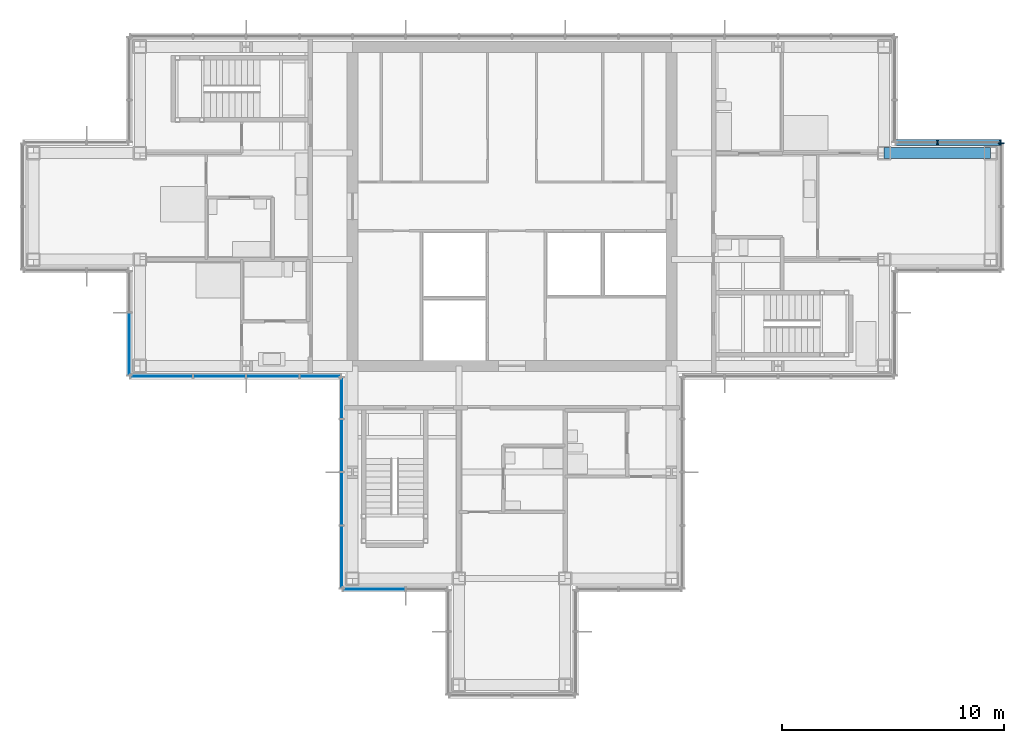
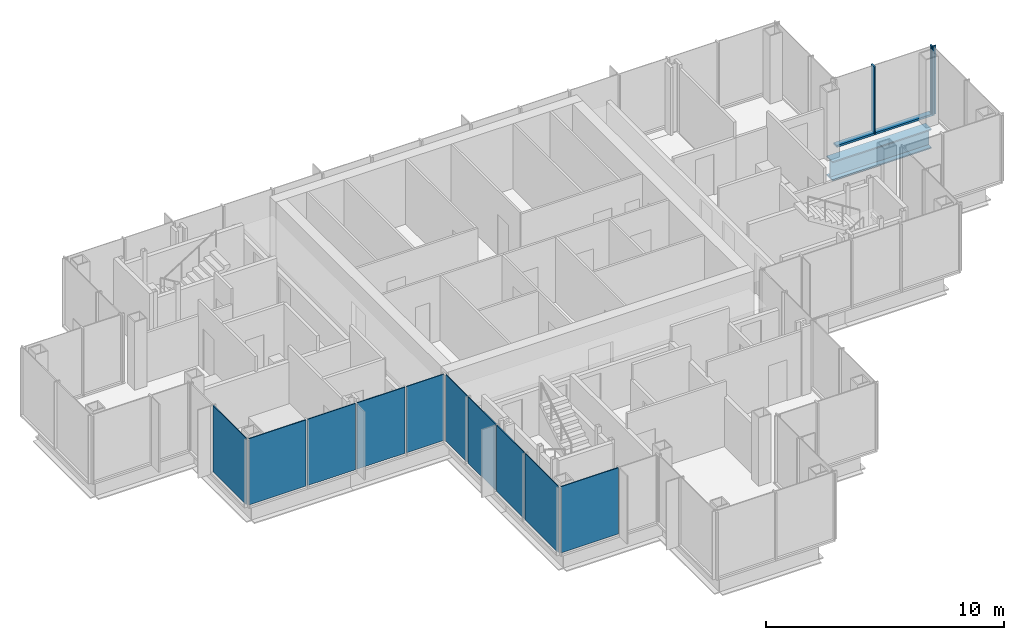
# One storey, part 8 of 15: 10 plates, 5 members, 1 beam, 6 elements without a shape of their own.
"""IFC4 building model written with IfcOpenShell, lengths in metres."""

from ifc_helpers import new_model, si_unit, direction, frame, origin, origin_2d, place, context, subcontext, project, spatial, rectangle, i_section, extrude, material, layer, layer_set, material_profile, profile_set, type_object, element, aggregate, save


model = new_model("IFC4")

# Units and contexts
model_context = context("Model", 3, precision=1e-05, world=origin(), true_north=direction((0.0, 1.0)))
body_context = subcontext(model_context, "Body", "Model", "MODEL_VIEW")
ifc_project = project(units=[si_unit("LENGTHUNIT", "METRE"), si_unit("AREAUNIT", "SQUARE_METRE"), si_unit("VOLUMEUNIT", "CUBIC_METRE"), si_unit("PLANEANGLEUNIT", "RADIAN"), si_unit("MASSUNIT", "GRAM", prefix="KILO")], contexts=[model_context])

# Site, building, storey
site_placement = place(None, origin())
site = spatial("IfcSite", under=ifc_project, at=site_placement, CompositionType="ELEMENT")
building_placement = place(site_placement, origin())
building = spatial("IfcBuilding", under=site, at=building_placement, Name="Kvirike Care Tower", CompositionType="ELEMENT")
storey_placement = place(building_placement, frame((0.0, 0.0, 205.0)))
storey = spatial("IfcBuildingStorey", under=building, at=storey_placement, Name="L56", CompositionType="ELEMENT", Elevation=205.0)

# Curtain wall, member
ifc_material_1 = material(Name="Anodised aluminium stick system", Category="aluminium")
curtain_wall_type = type_object("IfcCurtainWallType", Name="CW-D STICK CURTAIN WALL", PredefinedType="NOTDEFINED", material=ifc_material_1)
curtain_wall_1_placement = place(storey_placement, origin())
curtain_wall_1 = element("IfcCurtainWall", 1, at=curtain_wall_1_placement, inside=storey, type_object=curtain_wall_type, Name="Curtain wall L56 face 4", PredefinedType="NOTDEFINED")
ifc_material_2 = material(Name="Bronze anodised aluminium mullion", Category="aluminium")
ifc_material_profile_1 = material_profile(ifc_material_2, rectangle(XDim=0.06494140625, YDim=0.260009765625, at=origin_2d()), Name="CW-D MULLION 65x260")
ifc_profile_set_1 = profile_set([ifc_material_profile_1], Name="Bronze anodised aluminium mullion")
member_type_1 = type_object("IfcMemberType", Name="CW-D MULLION 65x260", PredefinedType="MULLION", material=ifc_profile_set_1)
member_1_placement = place(storey_placement, frame((43.679931640625, 38.847412109375, 0.0), z_axis=(0.0, 0.0, 1.0), x_axis=(0.0, 1.0, 0.0)))
member_1 = element("IfcMember", 2, at=member_1_placement, type_object=member_type_1, Name="CW-D mullion L56 face 4.3", PredefinedType="MULLION", context=body_context, shape_type="SweptSolid", body=[
    extrude(rectangle(XDim=0.06494140625, YDim=0.260009765625, at=origin_2d()), origin(), (0.0, 0.0, 1.0), 3.5),
])
aggregate(curtain_wall_1, [member_1])

# Curtain wall, members
curtain_wall_2_placement = place(storey_placement, origin())
curtain_wall_2 = element("IfcCurtainWall", 3, at=curtain_wall_2_placement, inside=storey, type_object=curtain_wall_type, Name="Curtain wall L56 face 5", PredefinedType="NOTDEFINED")
member_2_placement = place(storey_placement, frame((43.6474609375, 38.8798828125, 0.0), z_axis=(0.0, 0.0, 1.0), x_axis=(-1.0, 0.0, 0.0)))
member_2 = element("IfcMember", 4, at=member_2_placement, type_object=member_type_1, Name="CW-D mullion L56 face 5.1", PredefinedType="MULLION", context=body_context, shape_type="SweptSolid", body=[
    extrude(rectangle(XDim=0.06494140625, YDim=0.260009765625, at=origin_2d()), origin(), (0.0, 0.0, 1.0), 3.5),
])
member_3_placement = place(storey_placement, frame((40.800048828125, 38.8798828125, 0.0), z_axis=(0.0, 0.0, 1.0), x_axis=(-1.0, 0.0, 0.0)))
member_3 = element("IfcMember", 5, at=member_3_placement, type_object=member_type_1, Name="CW-D mullion L56 face 5.2", PredefinedType="MULLION", context=body_context, shape_type="SweptSolid", body=[
    extrude(rectangle(XDim=0.06494140625, YDim=0.260009765625, at=origin_2d()), origin(), (0.0, 0.0, 1.0), 3.5),
])
ifc_material_3 = material(Name="Bronze anodised aluminium transom", Category="aluminium")
ifc_material_profile_2 = material_profile(ifc_material_3, rectangle(XDim=0.260009765625, YDim=0.10009765625, at=origin_2d()), Name="CW-D TRANSOM 260x100")
ifc_profile_set_2 = profile_set([ifc_material_profile_2], Name="Bronze anodised aluminium transom")
member_type_2 = type_object("IfcMemberType", Name="CW-D TRANSOM 260x100", PredefinedType="USERDEFINED", material=ifc_profile_set_2)
member_4_placement = place(storey_placement, frame((43.614990234375, 38.8798828125, 0.050048828125), z_axis=(-1.0, 0.0, 0.0), x_axis=(0.0, -1.0, 0.0)))
member_4 = element("IfcMember", 6, at=member_4_placement, type_object=member_type_2, Name="CW-D sill transom L56 face 5.1", ObjectType="TRANSOM", PredefinedType="USERDEFINED", context=body_context, shape_type="SweptSolid", body=[
    extrude(rectangle(XDim=0.260009765625, YDim=0.10009765625, at=origin_2d()), origin(), (0.0, 0.0, 1.0), 2.782470703125),
])
member_5_placement = place(storey_placement, frame((40.767578125, 38.8798828125, 0.050048828125), z_axis=(-1.0, 0.0, 0.0), x_axis=(0.0, -1.0, 0.0)))
member_5 = element("IfcMember", 7, at=member_5_placement, type_object=member_type_2, Name="CW-D sill transom L56 face 5.2", ObjectType="TRANSOM", PredefinedType="USERDEFINED", context=body_context, shape_type="SweptSolid", body=[
    extrude(rectangle(XDim=0.260009765625, YDim=0.10009765625, at=origin_2d()), origin(), (0.0, 0.0, 1.0), 1.822509765625),
])
aggregate(curtain_wall_2, [member_2, member_3, member_4, member_5])

# Beam
ifc_material_4 = material(Name="Steel S355", Category="steel")
ifc_material_profile_3 = material_profile(ifc_material_4, i_section(OverallWidth=0.5, OverallDepth=1.0, WebThickness=0.030029296875, FlangeThickness=0.06005859375, at=origin_2d()), Name="PG 1000x500x30x60")
ifc_profile_set_3 = profile_set([ifc_material_profile_3], Name="Steel S355")
beam_type = type_object("IfcBeamType", Name="SPANDREL PG 1000x500x30x60", PredefinedType="SPANDREL", material=ifc_profile_set_3)
beam_placement = place(storey_placement, frame((38.39990234375, 38.39990234375, -0.669921875), z_axis=(1.0, 0.0, 0.0), x_axis=(0.0, 1.0, 0.0)))
element("IfcBeam", 8, at=beam_placement, inside=storey, type_object=beam_type, Name="Spandrel J11-J12 L56", PredefinedType="SPANDREL", context=body_context, shape_type="SweptSolid", body=[
    extrude(i_section(OverallWidth=0.5, OverallDepth=1.0, WebThickness=0.030029296875, FlangeThickness=0.06005859375, at=origin_2d()), origin(), (0.0, 0.0, 1.0), 4.800048828125),
])

# Curtain wall, plate
curtain_wall_3_placement = place(storey_placement, origin())
curtain_wall_3 = element("IfcCurtainWall", 9, at=curtain_wall_3_placement, inside=storey, type_object=curtain_wall_type, Name="Curtain wall L56 face 12", PredefinedType="NOTDEFINED")
ifc_material_5 = material(Name="Tinted double glazed unit", Category="glass")
ifc_layer = layer(ifc_material_5, 0.0439453125)
ifc_layer_set = layer_set([ifc_layer], Name="TINTED VISION PANEL 44")
plate_type = type_object("IfcPlateType", Name="TINTED VISION PANEL 44", PredefinedType="CURTAIN_PANEL", material=ifc_layer_set)
plate_1_placement = place(storey_placement, frame((4.320068359375, 29.7763671875, 0.10009765625), z_axis=(0.0, 0.0, 1.0), x_axis=(0.0, -1.0, 0.0)))
plate_1 = element("IfcPlate", 10, at=plate_1_placement, type_object=plate_type, Name="CW-D panel L56 face 12.2", PredefinedType="CURTAIN_PANEL", context=body_context, shape_type="SweptSolid", body=[
    extrude(rectangle(XDim=2.782470703125, YDim=0.0439453125, at=origin_2d()), origin(), (0.0, 0.0, 1.0), 3.39990234375),
])
aggregate(curtain_wall_3, [plate_1])

# Curtain wall, plates
curtain_wall_4_placement = place(storey_placement, origin())
curtain_wall_4 = element("IfcCurtainWall", 11, at=curtain_wall_4_placement, inside=storey, type_object=curtain_wall_type, Name="Curtain wall L56 face 13", PredefinedType="NOTDEFINED")
plate_2_placement = place(storey_placement, frame((5.7763671875, 28.320068359375, 0.10009765625), z_axis=(0.0, 0.0, 1.0), x_axis=(1.0, 0.0, 0.0)))
plate_2 = element("IfcPlate", 12, at=plate_2_placement, type_object=plate_type, Name="CW-D panel L56 face 13.1", PredefinedType="CURTAIN_PANEL", context=body_context, shape_type="SweptSolid", body=[
    extrude(rectangle(XDim=2.782470703125, YDim=0.0439453125, at=origin_2d()), origin(), (0.0, 0.0, 1.0), 3.39990234375),
])
plate_3_placement = place(storey_placement, frame((8.39990234375, 28.320068359375, 0.10009765625), z_axis=(0.0, 0.0, 1.0), x_axis=(1.0, 0.0, 0.0)))
plate_3 = element("IfcPlate", 13, at=plate_3_placement, type_object=plate_type, Name="CW-D panel L56 face 13.2", PredefinedType="CURTAIN_PANEL", context=body_context, shape_type="SweptSolid", body=[
    extrude(rectangle(XDim=2.3349609375, YDim=0.0439453125, at=origin_2d()), origin(), (0.0, 0.0, 1.0), 3.39990234375),
])
plate_4_placement = place(storey_placement, frame((10.800048828125, 28.320068359375, 0.10009765625), z_axis=(0.0, 0.0, 1.0), x_axis=(1.0, 0.0, 0.0)))
plate_4 = element("IfcPlate", 14, at=plate_4_placement, type_object=plate_type, Name="CW-D panel L56 face 13.3", PredefinedType="CURTAIN_PANEL", context=body_context, shape_type="SweptSolid", body=[
    extrude(rectangle(XDim=2.3349609375, YDim=0.0439453125, at=origin_2d()), origin(), (0.0, 0.0, 1.0), 3.39990234375),
])
plate_5_placement = place(storey_placement, frame((12.94384765625, 28.320068359375, 0.10009765625), z_axis=(0.0, 0.0, 1.0), x_axis=(1.0, 0.0, 0.0)))
plate_5 = element("IfcPlate", 15, at=plate_5_placement, type_object=plate_type, Name="CW-D panel L56 face 13.4", PredefinedType="CURTAIN_PANEL", context=body_context, shape_type="SweptSolid", body=[
    extrude(rectangle(XDim=1.822509765625, YDim=0.0439453125, at=origin_2d()), origin(), (0.0, 0.0, 1.0), 3.39990234375),
])
aggregate(curtain_wall_4, [plate_2, plate_3, plate_4, plate_5])

curtain_wall_5_placement = place(storey_placement, origin())
curtain_wall_5 = element("IfcCurtainWall", 16, at=curtain_wall_5_placement, inside=storey, type_object=curtain_wall_type, Name="Curtain wall L56 face 14", PredefinedType="NOTDEFINED")
plate_6_placement = place(storey_placement, frame((13.919921875, 27.34375, 0.10009765625), z_axis=(0.0, 0.0, 1.0), x_axis=(0.0, -1.0, 0.0)))
plate_6 = element("IfcPlate", 17, at=plate_6_placement, type_object=plate_type, Name="CW-D panel L56 face 14.1", PredefinedType="CURTAIN_PANEL", context=body_context, shape_type="SweptSolid", body=[
    extrude(rectangle(XDim=1.822509765625, YDim=0.0439453125, at=origin_2d()), origin(), (0.0, 0.0, 1.0), 3.39990234375),
])
plate_7_placement = place(storey_placement, frame((13.919921875, 25.199951171875, 0.10009765625), z_axis=(0.0, 0.0, 1.0), x_axis=(0.0, -1.0, 0.0)))
plate_7 = element("IfcPlate", 18, at=plate_7_placement, type_object=plate_type, Name="CW-D panel L56 face 14.2", PredefinedType="CURTAIN_PANEL", context=body_context, shape_type="SweptSolid", body=[
    extrude(rectangle(XDim=2.3349609375, YDim=0.0439453125, at=origin_2d()), origin(), (0.0, 0.0, 1.0), 3.39990234375),
])
plate_8_placement = place(storey_placement, frame((13.919921875, 22.800048828125, 0.10009765625), z_axis=(0.0, 0.0, 1.0), x_axis=(0.0, -1.0, 0.0)))
plate_8 = element("IfcPlate", 19, at=plate_8_placement, type_object=plate_type, Name="CW-D panel L56 face 14.3", PredefinedType="CURTAIN_PANEL", context=body_context, shape_type="SweptSolid", body=[
    extrude(rectangle(XDim=2.3349609375, YDim=0.0439453125, at=origin_2d()), origin(), (0.0, 0.0, 1.0), 3.39990234375),
])
plate_9_placement = place(storey_placement, frame((13.919921875, 20.17626953125, 0.10009765625), z_axis=(0.0, 0.0, 1.0), x_axis=(0.0, -1.0, 0.0)))
plate_9 = element("IfcPlate", 20, at=plate_9_placement, type_object=plate_type, Name="CW-D panel L56 face 14.4", PredefinedType="CURTAIN_PANEL", context=body_context, shape_type="SweptSolid", body=[
    extrude(rectangle(XDim=2.782470703125, YDim=0.0439453125, at=origin_2d()), origin(), (0.0, 0.0, 1.0), 3.39990234375),
])
aggregate(curtain_wall_5, [plate_6, plate_7, plate_8, plate_9])

# Curtain wall, plate
curtain_wall_6_placement = place(storey_placement, origin())
curtain_wall_6 = element("IfcCurtainWall", 21, at=curtain_wall_6_placement, inside=storey, type_object=curtain_wall_type, Name="Curtain wall L56 face 15", PredefinedType="NOTDEFINED")
plate_10_placement = place(storey_placement, frame((15.376220703125, 18.719970703125, 0.10009765625), z_axis=(0.0, 0.0, 1.0), x_axis=(1.0, 0.0, 0.0)))
plate_10 = element("IfcPlate", 22, at=plate_10_placement, type_object=plate_type, Name="CW-D panel L56 face 15.1", PredefinedType="CURTAIN_PANEL", context=body_context, shape_type="SweptSolid", body=[
    extrude(rectangle(XDim=2.782470703125, YDim=0.0439453125, at=origin_2d()), origin(), (0.0, 0.0, 1.0), 3.39990234375),
])
aggregate(curtain_wall_6, [plate_10])

save(model, "model.ifc")
